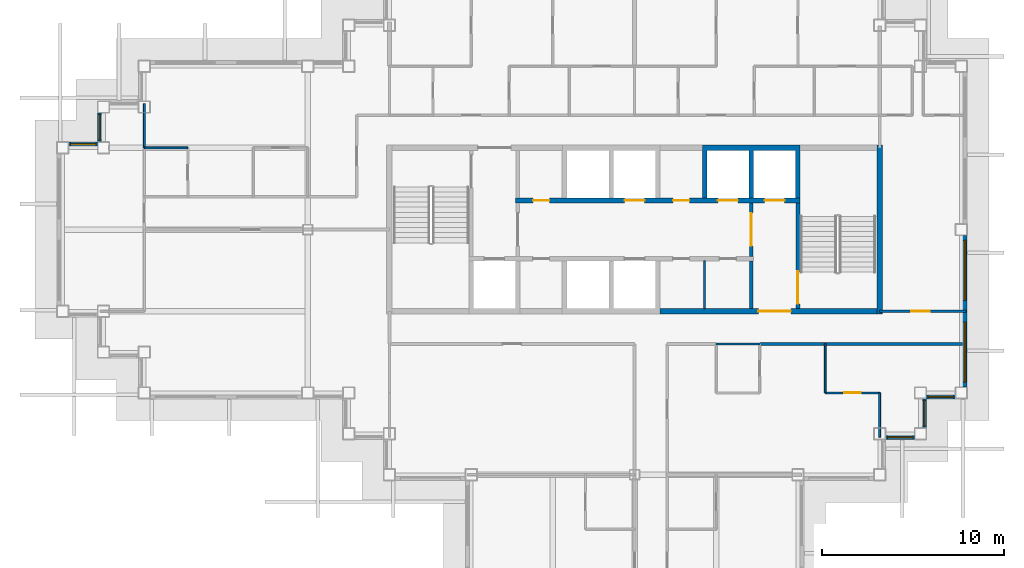
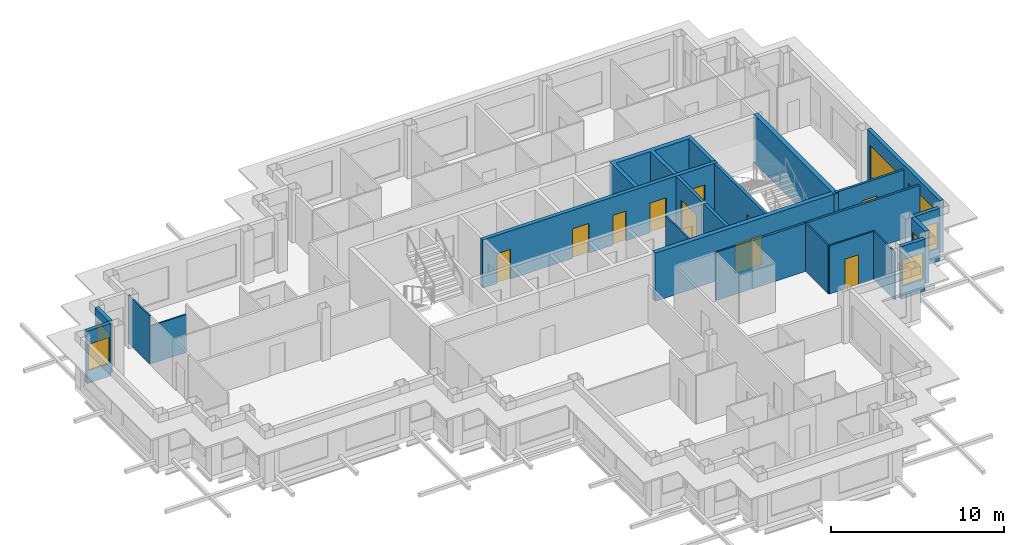
# One storey, part 5 of 12: 22 walls, 10 doors, 7 windows, 17 openings.
"""IFC4 building model written with IfcOpenShell, lengths in metres."""

from ifc_helpers import new_model, si_unit, direction, frame, frame_2d, origin, place, context, subcontext, project, spatial, polyline, rectangle, outline, extrude, material, layer, layer_set, type_object, element, fill, save


model = new_model("IFC4")

# Units and contexts
model_context = context("Model", 3, precision=1e-05, world=origin(), true_north=direction((0.0, 1.0)))
body_context = subcontext(model_context, "Body", "Model", "MODEL_VIEW")
ifc_project = project(units=[si_unit("LENGTHUNIT", "METRE"), si_unit("AREAUNIT", "SQUARE_METRE"), si_unit("VOLUMEUNIT", "CUBIC_METRE"), si_unit("PLANEANGLEUNIT", "RADIAN"), si_unit("MASSUNIT", "GRAM", prefix="KILO")], contexts=[model_context])

# Site, building, storey
site_placement = place(None, origin())
site = spatial("IfcSite", under=ifc_project, at=site_placement, CompositionType="ELEMENT")
building_placement = place(site_placement, origin())
building = spatial("IfcBuilding", under=site, at=building_placement, Name="Caravel Reach Hotel and Residences", CompositionType="ELEMENT")
storey_placement = place(building_placement, frame((0.0, 0.0, 218.300048828125)))
storey = spatial("IfcBuildingStorey", under=building, at=storey_placement, Name="L55", CompositionType="ELEMENT", Elevation=218.300048828125)

# Walls
ifc_material_1 = material(Name="Gypsum board on steel stud", Category="steel")
ifc_layer_1 = layer(ifc_material_1, 0.10009765625)
ifc_layer_set_1 = layer_set([ifc_layer_1], Name="Bathroom pod wall 100 mm")
wall_type_1 = type_object("IfcWallType", Name="Bathroom pod wall 100 mm", PredefinedType="PARTITIONING", material=ifc_layer_set_1)
wall_1_placement = place(storey_placement, frame((36.0, 20.699951171875, 0.0), z_axis=(0.0, 0.0, 1.0), x_axis=(1.0, 0.0, 0.0)))
element("IfcWall", 1, at=wall_1_placement, inside=storey, type_object=wall_type_1, Name="L55 wall w078", PredefinedType="PARTITIONING", context=body_context, shape_type="SweptSolid", body=[
    extrude(rectangle(XDim=2.39990234375, YDim=0.10009765625, at=frame_2d((1.199951171875, 0.0))), origin(), (0.0, 0.0, 1.0), 3.39990234375),
])
wall_2_placement = place(storey_placement, frame((4.5, 31.5, 0.0), z_axis=(0.0, 0.0, 1.0), x_axis=(1.0, 0.0, 0.0)))
element("IfcWall", 2, at=wall_2_placement, inside=storey, type_object=wall_type_1, Name="L55 wall w080", PredefinedType="PARTITIONING", context=body_context, shape_type="SweptSolid", body=[
    extrude(rectangle(XDim=2.39990234375, YDim=0.10009765625, at=frame_2d((1.199951171875, 0.0))), origin(), (0.0, 0.0, 1.0), 2.679931640625),
])
ifc_material_2 = material(Name="Autoclaved aerated block wall")
ifc_layer_2 = layer(ifc_material_2, 0.199951171875)
ifc_layer_set_2 = layer_set([ifc_layer_2], Name="Compartment wall 200 mm EI 120")
wall_type_2 = type_object("IfcWallType", Name="Compartment wall 200 mm EI 120", PredefinedType="PARTITIONING", material=ifc_layer_set_2)
wall_3_placement = place(storey_placement, frame((37.928466796875, 22.64990234375, 0.0), z_axis=(0.0, 0.0, 1.0), x_axis=(0.0, 1.0, 0.0)))
element("IfcWall", 3, at=wall_3_placement, inside=storey, type_object=wall_type_2, Name="L55 store partition", PredefinedType="PARTITIONING", context=body_context, shape_type="SweptSolid", body=[
    extrude(rectangle(XDim=2.625, YDim=0.199951171875, at=frame_2d((1.3125, 0.0))), origin(), (0.0, 0.0, 1.0), 3.39990234375),
])

# Wall, opening, door
ifc_material_3 = material(Name="Concrete C60", Category="concrete")
ifc_layer_3 = layer(ifc_material_3, 0.300048828125)
ifc_layer_set_3 = layer_set([ifc_layer_3], Name="Core wall 300 mm EI 120")
wall_type_3 = type_object("IfcWallType", Name="Core wall 300 mm EI 120", PredefinedType="SHEAR", material=ifc_layer_set_3)
wall_4_placement = place(storey_placement, frame((32.91064453125, 22.5, 0.0), z_axis=(0.0, 0.0, 1.0), x_axis=(1.0, 0.0, 0.0)))
wall_4 = element("IfcWall", 4, at=wall_4_placement, inside=storey, type_object=wall_type_3, Name="L55 core wall S3", PredefinedType="SHEAR", context=body_context, shape_type="SweptSolid", body=[
    extrude(rectangle(XDim=11.939453125, YDim=0.300048828125, at=frame_2d((5.9697265625, 0.0))), origin(), (0.0, 0.0, 1.0), 3.39990234375),
])
opening_1_placement = place(wall_4_placement, frame((5.403564453125, 0.0, 0.0)))
opening_1 = element("IfcOpeningElement", 5, at=opening_1_placement, cuts=wall_4, Name="Opening D55-016", PredefinedType="OPENING", context=body_context, shape_type="SweptSolid", body=[
    extrude(rectangle(XDim=1.800048828125, YDim=2.10009765625, at=frame_2d((0.89990234375, 1.050048828125))), frame((0.0, 0.159912109375, 0.0), z_axis=(0.0, -1.0, 0.0), x_axis=(1.0, 0.0, 0.0)), (0.0, 0.0, 1.0), 0.320068359375),
])
ifc_material_4 = material(Name="Steel fire door leaf", Category="steel")
door_type_1 = type_object("IfcDoorType", Name="Fire lobby door pair 1800 x 2100 EI 90", OperationType="DOUBLE_DOOR_SINGLE_SWING", PredefinedType="DOOR", material=ifc_material_4)
door_1_placement = place(opening_1_placement, origin())
door_1 = element("IfcDoor", 6, at=door_1_placement, inside=storey, type_object=door_type_1, Name="lobby S door pair to corridor", OperationType="DOUBLE_DOOR_SINGLE_SWING", OverallHeight=2.10009765625, OverallWidth=1.800048828125, PredefinedType="DOOR", context=body_context, shape_type="SweptSolid", body=[
    extrude(rectangle(XDim=1.800048828125, YDim=2.10009765625, at=frame_2d((0.89990234375, 1.050048828125))), frame((0.0, 0.02490234375, 0.0), z_axis=(0.0, -1.0, 0.0), x_axis=(1.0, 0.0, 0.0)), (0.0, 0.0, 1.0), 0.050048828125),
])
fill(opening_1, door_1)

# Walls
wall_5_placement = place(storey_placement, frame((45.0, 22.35009765625, 0.0), z_axis=(0.0, 0.0, 1.0), x_axis=(0.0, 1.0, 0.0)))
element("IfcWall", 7, at=wall_5_placement, inside=storey, type_object=wall_type_3, Name="L55 core wall E", PredefinedType="SHEAR", context=body_context, shape_type="SweptSolid", body=[
    extrude(rectangle(XDim=9.2998046875, YDim=0.300048828125, at=frame_2d((4.64990234375, 0.0))), origin(), (0.0, 0.0, 1.0), 3.39990234375),
])
ifc_material_5 = material(Name="Gypsum board on steel stud, fire-rated", Category="steel")
ifc_layer_4 = layer(ifc_material_5, 0.14990234375)
ifc_layer_set_4 = layer_set([ifc_layer_4], Name="Corridor wall 150 mm EI 60")
wall_type_4 = type_object("IfcWallType", Name="Corridor wall 150 mm EI 60", PredefinedType="PARTITIONING", material=ifc_layer_set_4)
wall_6_placement = place(storey_placement, frame((38.39990234375, 20.699951171875, 0.0), z_axis=(0.0, 0.0, 1.0), x_axis=(1.0, 0.0, 0.0)))
element("IfcWall", 8, at=wall_6_placement, inside=storey, type_object=wall_type_4, Name="L55 wall w002", PredefinedType="PARTITIONING", context=body_context, shape_type="SweptSolid", body=[
    extrude(rectangle(XDim=11.175048828125, YDim=0.14990234375, at=frame_2d((5.58740234375, 0.0))), origin(), (0.0, 0.0, 1.0), 3.39990234375),
])

# Wall, opening, door
wall_7_placement = place(storey_placement, frame((45.0, 22.5, 0.0), z_axis=(0.0, 0.0, 1.0), x_axis=(1.0, 0.0, 0.0)))
wall_7 = element("IfcWall", 9, at=wall_7_placement, inside=storey, type_object=wall_type_4, Name="L55 wall w006", PredefinedType="PARTITIONING", context=body_context, shape_type="SweptSolid", body=[
    extrude(rectangle(XDim=4.764892578125, YDim=0.14990234375, at=frame_2d((2.38232421875, 0.0))), origin(), (0.0, 0.0, 1.0), 3.39990234375),
])
opening_2_placement = place(wall_7_placement, frame((1.75, 0.0, 0.0)))
opening_2 = element("IfcOpeningElement", 10, at=opening_2_placement, cuts=wall_7, Name="Opening D55-044", PredefinedType="OPENING", context=body_context, shape_type="SweptSolid", body=[
    extrude(rectangle(XDim=1.0, YDim=2.199951171875, at=frame_2d((0.5, 1.10009765625))), frame((0.0, 0.0849609375, 0.0), z_axis=(0.0, -1.0, 0.0), x_axis=(1.0, 0.0, 0.0)), (0.0, 0.0, 1.0), 0.169921875),
])
ifc_material_6 = material(Name="Steel fire door leaf", Category="steel")
door_type_2 = type_object("IfcDoorType", Name="Flat entrance door 1000 x 2200 EI 60", OperationType="SINGLE_SWING_LEFT", PredefinedType="DOOR", material=ifc_material_6)
door_2_placement = place(opening_2_placement, origin())
door_2 = element("IfcDoor", 11, at=door_2_placement, inside=storey, type_object=door_type_2, Name="door D55-044", OperationType="SINGLE_SWING_LEFT", OverallHeight=2.199951171875, OverallWidth=1.0, PredefinedType="DOOR", context=body_context, shape_type="SweptSolid", body=[
    extrude(rectangle(XDim=1.0, YDim=2.199951171875, at=frame_2d((0.5, 1.10009765625))), frame((0.0, 0.02490234375, 0.0), z_axis=(0.0, -1.0, 0.0), x_axis=(1.0, 0.0, 0.0)), (0.0, 0.0, 1.0), 0.050048828125),
])
fill(opening_2, door_2)

# Wall, opening, window
ifc_material_7 = material(Name="Insulated rainscreen wall, aluminium cladding", Category="aluminium")
ifc_layer_5 = layer(ifc_material_7, 0.25)
ifc_layer_set_5 = layer_set([ifc_layer_5], Name="EW1 Tower rainscreen wall")
wall_type_5 = type_object("IfcWallType", Name="EW1 Tower rainscreen wall", PredefinedType="SOLIDWALL", material=ifc_layer_set_5)
wall_8_placement = place(storey_placement, frame((45.324951171875, 15.550048828125, 0.0), z_axis=(0.0, 0.0, 1.0), x_axis=(1.0, 0.0, 0.0)))
wall_8 = element("IfcWall", 12, at=wall_8_placement, inside=storey, type_object=wall_type_5, Name="External wall L55 S3.1", PredefinedType="SOLIDWALL", context=body_context, shape_type="SweptSolid", body=[
    extrude(rectangle(XDim=1.60009765625, YDim=0.25, at=frame_2d((0.800048828125, 0.0))), origin(), (0.0, 0.0, 1.0), 3.699951171875),
])
opening_3_placement = place(wall_8_placement, frame((0.10009765625, 0.0, 0.89990234375)))
opening_3 = element("IfcOpeningElement", 13, at=opening_3_placement, cuts=wall_8, Name="Opening WN22", PredefinedType="OPENING", context=body_context, shape_type="SweptSolid", body=[
    extrude(rectangle(XDim=1.39990234375, YDim=1.85009765625, at=frame_2d((0.699951171875, 0.925048828125))), frame((0.0, 0.135009765625, 0.0), z_axis=(0.0, -1.0, 0.0), x_axis=(1.0, 0.0, 0.0)), (0.0, 0.0, 1.0), 0.27001953125),
])
ifc_material_8 = material(Name="Dark low-e glazing in black aluminium frame", Category="aluminium")
window_type_1 = type_object("IfcWindowType", Name="Residence bedroom window 1400 x 1850", PartitioningType="SINGLE_PANEL", PredefinedType="WINDOW", material=ifc_material_8)
window_1_placement = place(opening_3_placement, origin())
window_1 = element("IfcWindow", 14, at=window_1_placement, inside=storey, type_object=window_type_1, Name="Window L55 S3.1.1", OverallHeight=1.85009765625, OverallWidth=1.39990234375, PartitioningType="SINGLE_PANEL", PredefinedType="WINDOW", context=body_context, shape_type="SweptSolid", body=[
    extrude(rectangle(XDim=1.39990234375, YDim=1.85009765625, at=frame_2d((0.699951171875, 0.925048828125))), frame((0.0, 0.030029296875, 0.0), z_axis=(0.0, -1.0, 0.0), x_axis=(1.0, 0.0, 0.0)), (0.0, 0.0, 1.0), 0.06005859375),
])
fill(opening_3, window_1)

wall_9_placement = place(storey_placement, frame((47.449951171875, 16.074951171875, 0.0), z_axis=(0.0, 0.0, 1.0), x_axis=(0.0, 1.0, 0.0)))
wall_9 = element("IfcWall", 15, at=wall_9_placement, inside=storey, type_object=wall_type_5, Name="External wall L55 E4.1", PredefinedType="SOLIDWALL", context=body_context, shape_type="SweptSolid", body=[
    extrude(rectangle(XDim=1.60009765625, YDim=0.25, at=frame_2d((0.800048828125, 0.0))), origin(), (0.0, 0.0, 1.0), 3.699951171875),
])
opening_4_placement = place(wall_9_placement, frame((0.10009765625, 0.0, 0.89990234375)))
opening_4 = element("IfcOpeningElement", 16, at=opening_4_placement, cuts=wall_9, Name="Opening WN22", PredefinedType="OPENING", context=body_context, shape_type="SweptSolid", body=[
    extrude(rectangle(XDim=1.39990234375, YDim=1.85009765625, at=frame_2d((0.699951171875, 0.925048828125))), frame((0.0, 0.135009765625, 0.0), z_axis=(0.0, -1.0, 0.0), x_axis=(1.0, 0.0, 0.0)), (0.0, 0.0, 1.0), 0.27001953125),
])
window_2_placement = place(opening_4_placement, origin())
window_2 = element("IfcWindow", 17, at=window_2_placement, inside=storey, type_object=window_type_1, Name="Window L55 E4.1.1", OverallHeight=1.85009765625, OverallWidth=1.39990234375, PartitioningType="SINGLE_PANEL", PredefinedType="WINDOW", context=body_context, shape_type="SweptSolid", body=[
    extrude(rectangle(XDim=1.39990234375, YDim=1.85009765625, at=frame_2d((0.699951171875, 0.925048828125))), frame((0.0, 0.030029296875, 0.0), z_axis=(0.0, -1.0, 0.0), x_axis=(1.0, 0.0, 0.0)), (0.0, 0.0, 1.0), 0.06005859375),
])
fill(opening_4, window_2)

wall_10_placement = place(storey_placement, frame((47.574951171875, 17.800048828125, 0.0), z_axis=(0.0, 0.0, 1.0), x_axis=(1.0, 0.0, 0.0)))
wall_10 = element("IfcWall", 18, at=wall_10_placement, inside=storey, type_object=wall_type_5, Name="External wall L55 S5.1", PredefinedType="SOLIDWALL", context=body_context, shape_type="SweptSolid", body=[
    extrude(rectangle(XDim=1.60009765625, YDim=0.25, at=frame_2d((0.800048828125, 0.0))), origin(), (0.0, 0.0, 1.0), 3.699951171875),
])
opening_5_placement = place(wall_10_placement, frame((0.10009765625, 0.0, 0.89990234375)))
opening_5 = element("IfcOpeningElement", 19, at=opening_5_placement, cuts=wall_10, Name="Opening WN22", PredefinedType="OPENING", context=body_context, shape_type="SweptSolid", body=[
    extrude(rectangle(XDim=1.39990234375, YDim=1.85009765625, at=frame_2d((0.699951171875, 0.925048828125))), frame((0.0, 0.135009765625, 0.0), z_axis=(0.0, -1.0, 0.0), x_axis=(1.0, 0.0, 0.0)), (0.0, 0.0, 1.0), 0.27001953125),
])
window_3_placement = place(opening_5_placement, origin())
window_3 = element("IfcWindow", 20, at=window_3_placement, inside=storey, type_object=window_type_1, Name="Window L55 S5.1.1", OverallHeight=1.85009765625, OverallWidth=1.39990234375, PartitioningType="SINGLE_PANEL", PredefinedType="WINDOW", context=body_context, shape_type="SweptSolid", body=[
    extrude(rectangle(XDim=1.39990234375, YDim=1.85009765625, at=frame_2d((0.699951171875, 0.925048828125))), frame((0.0, 0.030029296875, 0.0), z_axis=(0.0, -1.0, 0.0), x_axis=(1.0, 0.0, 0.0)), (0.0, 0.0, 1.0), 0.06005859375),
])
fill(opening_5, window_3)

# Wall, openings, windows
wall_11_placement = place(storey_placement, frame((49.699951171875, 18.324951171875, 0.0), z_axis=(0.0, 0.0, 1.0), x_axis=(0.0, 1.0, 0.0)))
wall_11 = element("IfcWall", 21, at=wall_11_placement, inside=storey, type_object=wall_type_5, Name="External wall L55 E6.1", PredefinedType="SOLIDWALL", context=body_context, shape_type="SweptSolid", body=[
    extrude(rectangle(XDim=8.35009765625, YDim=0.25, at=frame_2d((4.175048828125, 0.0))), origin(), (0.0, 0.0, 1.0), 3.699951171875),
])
opening_6_placement = place(wall_11_placement, frame((0.27490234375, 0.0, 0.449951171875)))
opening_6 = element("IfcOpeningElement", 22, at=opening_6_placement, cuts=wall_11, Name="Opening WN15", PredefinedType="OPENING", context=body_context, shape_type="SweptSolid", body=[
    extrude(rectangle(XDim=3.300048828125, YDim=2.300048828125, at=frame_2d((1.64990234375, 1.14990234375))), frame((0.0, 0.135009765625, 0.0), z_axis=(0.0, -1.0, 0.0), x_axis=(1.0, 0.0, 0.0)), (0.0, 0.0, 1.0), 0.27001953125),
])
opening_7_placement = place(wall_11_placement, frame((4.77490234375, 0.0, 0.449951171875)))
opening_7 = element("IfcOpeningElement", 23, at=opening_7_placement, cuts=wall_11, Name="Opening WN15", PredefinedType="OPENING", context=body_context, shape_type="SweptSolid", body=[
    extrude(rectangle(XDim=3.300048828125, YDim=2.300048828125, at=frame_2d((1.64990234375, 1.14990234375))), frame((0.0, 0.135009765625, 0.0), z_axis=(0.0, -1.0, 0.0), x_axis=(1.0, 0.0, 0.0)), (0.0, 0.0, 1.0), 0.27001953125),
])
ifc_material_9 = material(Name="Dark low-e glazing in black aluminium frame", Category="aluminium")
window_type_2 = type_object("IfcWindowType", Name="Residence living window 3300 x 2300", PartitioningType="SINGLE_PANEL", PredefinedType="WINDOW", material=ifc_material_9)
window_4_placement = place(opening_6_placement, origin())
window_4 = element("IfcWindow", 24, at=window_4_placement, inside=storey, type_object=window_type_2, Name="Window L55 E6.1.1", OverallHeight=2.300048828125, OverallWidth=3.300048828125, PartitioningType="SINGLE_PANEL", PredefinedType="WINDOW", context=body_context, shape_type="SweptSolid", body=[
    extrude(rectangle(XDim=3.300048828125, YDim=2.300048828125, at=frame_2d((1.64990234375, 1.14990234375))), frame((0.0, 0.030029296875, 0.0), z_axis=(0.0, -1.0, 0.0), x_axis=(1.0, 0.0, 0.0)), (0.0, 0.0, 1.0), 0.06005859375),
])
fill(opening_6, window_4)
window_5_placement = place(opening_7_placement, origin())
window_5 = element("IfcWindow", 25, at=window_5_placement, inside=storey, type_object=window_type_2, Name="Window L55 E6.1.2", OverallHeight=2.300048828125, OverallWidth=3.300048828125, PartitioningType="SINGLE_PANEL", PredefinedType="WINDOW", context=body_context, shape_type="SweptSolid", body=[
    extrude(rectangle(XDim=3.300048828125, YDim=2.300048828125, at=frame_2d((1.64990234375, 1.14990234375))), frame((0.0, 0.030029296875, 0.0), z_axis=(0.0, -1.0, 0.0), x_axis=(1.0, 0.0, 0.0)), (0.0, 0.0, 1.0), 0.06005859375),
])
fill(opening_7, window_5)

# Wall, opening, window
wall_12_placement = place(storey_placement, frame((2.050048828125, 33.425048828125, 0.0), z_axis=(0.0, 0.0, 1.0), x_axis=(0.0, -1.0, 0.0)))
wall_12 = element("IfcWall", 26, at=wall_12_placement, inside=storey, type_object=wall_type_5, Name="External wall L55 W18.1", PredefinedType="SOLIDWALL", context=body_context, shape_type="SweptSolid", body=[
    extrude(rectangle(XDim=1.60009765625, YDim=0.25, at=frame_2d((0.800048828125, 0.0))), origin(), (0.0, 0.0, 1.0), 3.699951171875),
])
opening_8_placement = place(wall_12_placement, frame((0.10009765625, 0.0, 0.89990234375)))
opening_8 = element("IfcOpeningElement", 27, at=opening_8_placement, cuts=wall_12, Name="Opening WN22", PredefinedType="OPENING", context=body_context, shape_type="SweptSolid", body=[
    extrude(rectangle(XDim=1.39990234375, YDim=1.85009765625, at=frame_2d((0.699951171875, 0.925048828125))), frame((0.0, 0.135009765625, 0.0), z_axis=(0.0, -1.0, 0.0), x_axis=(1.0, 0.0, 0.0)), (0.0, 0.0, 1.0), 0.27001953125),
])
window_6_placement = place(opening_8_placement, origin())
window_6 = element("IfcWindow", 28, at=window_6_placement, inside=storey, type_object=window_type_1, Name="Window L55 W18.1.1", OverallHeight=1.85009765625, OverallWidth=1.39990234375, PartitioningType="SINGLE_PANEL", PredefinedType="WINDOW", context=body_context, shape_type="SweptSolid", body=[
    extrude(rectangle(XDim=1.39990234375, YDim=1.85009765625, at=frame_2d((0.699951171875, 0.925048828125))), frame((0.0, 0.030029296875, 0.0), z_axis=(0.0, -1.0, 0.0), x_axis=(1.0, 0.0, 0.0)), (0.0, 0.0, 1.0), 0.06005859375),
])
fill(opening_8, window_6)

wall_13_placement = place(storey_placement, frame((1.925048828125, 31.699951171875, 0.0), z_axis=(0.0, 0.0, 1.0), x_axis=(-1.0, 0.0, 0.0)))
wall_13 = element("IfcWall", 29, at=wall_13_placement, inside=storey, type_object=wall_type_5, Name="External wall L55 N19.1", PredefinedType="SOLIDWALL", context=body_context, shape_type="SweptSolid", body=[
    extrude(rectangle(XDim=1.60009765625, YDim=0.25, at=frame_2d((0.800048828125, 0.0))), origin(), (0.0, 0.0, 1.0), 3.699951171875),
])
opening_9_placement = place(wall_13_placement, frame((0.10009765625, 0.0, 0.89990234375)))
opening_9 = element("IfcOpeningElement", 30, at=opening_9_placement, cuts=wall_13, Name="Opening WN22", PredefinedType="OPENING", context=body_context, shape_type="SweptSolid", body=[
    extrude(rectangle(XDim=1.39990234375, YDim=1.85009765625, at=frame_2d((0.699951171875, 0.925048828125))), frame((0.0, 0.135009765625, 0.0), z_axis=(0.0, -1.0, 0.0), x_axis=(1.0, 0.0, 0.0)), (0.0, 0.0, 1.0), 0.27001953125),
])
window_7_placement = place(opening_9_placement, origin())
window_7 = element("IfcWindow", 31, at=window_7_placement, inside=storey, type_object=window_type_1, Name="Window L55 N19.1.1", OverallHeight=1.85009765625, OverallWidth=1.39990234375, PartitioningType="SINGLE_PANEL", PredefinedType="WINDOW", context=body_context, shape_type="SweptSolid", body=[
    extrude(rectangle(XDim=1.39990234375, YDim=1.85009765625, at=frame_2d((0.699951171875, 0.925048828125))), frame((0.0, 0.030029296875, 0.0), z_axis=(0.0, -1.0, 0.0), x_axis=(1.0, 0.0, 0.0)), (0.0, 0.0, 1.0), 0.06005859375),
])
fill(opening_9, window_7)

# Wall, opening, door
ifc_material_10 = material(Name="Autoclaved aerated block wall")
ifc_layer_6 = layer(ifc_material_10, 0.199951171875)
ifc_layer_set_6 = layer_set([ifc_layer_6], Name="Fire lobby wall 200 mm EI 120")
wall_type_6 = type_object("IfcWallType", Name="Fire lobby wall 200 mm EI 120", PredefinedType="PARTITIONING", material=ifc_layer_set_6)
wall_14_placement = place(storey_placement, frame((37.928466796875, 25.52490234375, 0.0), z_axis=(0.0, 0.0, 1.0), x_axis=(0.0, 1.0, 0.0)))
wall_14 = element("IfcWall", 32, at=wall_14_placement, inside=storey, type_object=wall_type_6, Name="L55 lobby E wall", PredefinedType="PARTITIONING", context=body_context, shape_type="SweptSolid", body=[
    extrude(rectangle(XDim=2.9501953125, YDim=0.199951171875, at=frame_2d((1.47509765625, 0.0))), origin(), (0.0, 0.0, 1.0), 3.39990234375),
])
opening_10_placement = place(wall_14_placement, frame((0.574951171875, 0.0, 0.0)))
opening_10 = element("IfcOpeningElement", 33, at=opening_10_placement, cuts=wall_14, Name="Opening D55-014", PredefinedType="OPENING", context=body_context, shape_type="SweptSolid", body=[
    extrude(rectangle(XDim=1.800048828125, YDim=2.10009765625, at=frame_2d((0.89990234375, 1.050048828125))), frame((0.0, 0.10986328125, 0.0), z_axis=(0.0, -1.0, 0.0), x_axis=(1.0, 0.0, 0.0)), (0.0, 0.0, 1.0), 0.219970703125),
])
door_3_placement = place(opening_10_placement, origin())
door_3 = element("IfcDoor", 34, at=door_3_placement, inside=storey, type_object=door_type_1, Name="lobby E door pair", OperationType="DOUBLE_DOOR_SINGLE_SWING", OverallHeight=2.10009765625, OverallWidth=1.800048828125, PredefinedType="DOOR", context=body_context, shape_type="SweptSolid", body=[
    extrude(rectangle(XDim=1.800048828125, YDim=2.10009765625, at=frame_2d((0.89990234375, 1.050048828125))), frame((0.0, 0.02490234375, 0.0), z_axis=(0.0, -1.0, 0.0), x_axis=(1.0, 0.0, 0.0)), (0.0, 0.0, 1.0), 0.050048828125),
])
fill(opening_10, door_3)

# Wall
ifc_material_11 = material(Name="Gypsum board on steel stud", Category="steel")
ifc_layer_7 = layer(ifc_material_11, 0.10009765625)
ifc_layer_set_7 = layer_set([ifc_layer_7], Name="Partition 100 mm")
wall_type_7 = type_object("IfcWallType", Name="Partition 100 mm", PredefinedType="PARTITIONING", material=ifc_layer_set_7)
wall_15_placement = place(storey_placement, frame((35.357177734375, 22.64990234375, 0.0), z_axis=(0.0, 0.0, 1.0), x_axis=(0.0, 1.0, 0.0)))
element("IfcWall", 35, at=wall_15_placement, inside=storey, type_object=wall_type_7, Name="L55 store partition", PredefinedType="PARTITIONING", context=body_context, shape_type="SweptSolid", body=[
    extrude(rectangle(XDim=2.625, YDim=0.10009765625, at=frame_2d((1.3125, 0.0))), origin(), (0.0, 0.0, 1.0), 3.39990234375),
])

# Wall, opening, door
wall_16_placement = place(storey_placement, frame((42.0, 18.0, 0.0), z_axis=(0.0, 0.0, 1.0), x_axis=(1.0, 0.0, 0.0)))
wall_16 = element("IfcWall", 36, at=wall_16_placement, inside=storey, type_object=wall_type_7, Name="L55 wall w033", PredefinedType="PARTITIONING", context=body_context, shape_type="SweptSolid", body=[
    extrude(rectangle(XDim=3.0, YDim=0.10009765625, at=frame_2d((1.5, 0.0))), origin(), (0.0, 0.0, 1.0), 3.39990234375),
])
opening_11_placement = place(wall_16_placement, frame((1.050048828125, 0.0, 0.0)))
opening_11 = element("IfcOpeningElement", 37, at=opening_11_placement, cuts=wall_16, Name="Opening D55-036", PredefinedType="OPENING", context=body_context, shape_type="SweptSolid", body=[
    extrude(rectangle(XDim=0.89990234375, YDim=2.10009765625, at=frame_2d((0.449951171875, 1.050048828125))), frame((0.0, 0.06005859375, 0.0), z_axis=(0.0, -1.0, 0.0), x_axis=(1.0, 0.0, 0.0)), (0.0, 0.0, 1.0), 0.1201171875),
])
ifc_material_12 = material(Name="Timber and steel door leaf", Category="steel")
door_type_3 = type_object("IfcDoorType", Name="Door 900 x 2100 timber", OperationType="SINGLE_SWING_LEFT", PredefinedType="DOOR", material=ifc_material_12)
door_4_placement = place(opening_11_placement, origin())
door_4 = element("IfcDoor", 38, at=door_4_placement, inside=storey, type_object=door_type_3, Name="door D55-036", OperationType="SINGLE_SWING_RIGHT", OverallHeight=2.10009765625, OverallWidth=0.89990234375, PredefinedType="DOOR", context=body_context, shape_type="SweptSolid", body=[
    extrude(rectangle(XDim=0.89990234375, YDim=2.10009765625, at=frame_2d((0.449951171875, 1.050048828125))), frame((0.0, 0.02490234375, 0.0), z_axis=(0.0, -1.0, 0.0), x_axis=(1.0, 0.0, 0.0)), (0.0, 0.0, 1.0), 0.050048828125),
])
fill(opening_11, door_4)

# Walls
wall_17_placement = place(storey_placement, frame((4.5, 31.5009765625, 0.0), z_axis=(0.0, 0.0, 1.0), x_axis=(0.0, 1.0, 0.0)))
element("IfcWall", 39, at=wall_17_placement, inside=storey, type_object=wall_type_7, Name="L55 wall w061", PredefinedType="PARTITIONING", context=body_context, shape_type="SweptSolid", body=[
    extrude(rectangle(XDim=2.43896484375, YDim=0.10009765625, at=frame_2d((1.219482421875, 0.0))), origin(), (0.0, 0.0, 1.0), 3.39990234375),
])
wall_18_placement = place(storey_placement, frame((42.0, 18.0, 0.0), z_axis=(0.0, 0.0, 1.0), x_axis=(0.0, 1.0, 0.0)))
element("IfcWall", 40, at=wall_18_placement, inside=storey, type_object=wall_type_7, Name="L55 wall w065", PredefinedType="PARTITIONING", context=body_context, shape_type="SweptSolid", body=[
    extrude(rectangle(XDim=2.699951171875, YDim=0.10009765625, at=frame_2d((1.35009765625, 0.0))), origin(), (0.0, 0.0, 1.0), 3.39990234375),
])
wall_19_placement = place(storey_placement, frame((45.0, 15.56005859375, 0.0), z_axis=(0.0, 0.0, 1.0), x_axis=(0.0, 1.0, 0.0)))
element("IfcWall", 41, at=wall_19_placement, inside=storey, type_object=wall_type_7, Name="L55 wall w066", PredefinedType="PARTITIONING", context=body_context, shape_type="SweptSolid", body=[
    extrude(rectangle(XDim=2.43994140625, YDim=0.10009765625, at=frame_2d((1.219970703125, 0.0))), origin(), (0.0, 0.0, 1.0), 3.39990234375),
])
ifc_material_13 = material(Name="Concrete C60", Category="concrete")
ifc_layer_8 = layer(ifc_material_13, 0.25)
ifc_layer_set_8 = layer_set([ifc_layer_8], Name="Shaft wall 250 mm EI 120")
wall_type_8 = type_object("IfcWallType", Name="Shaft wall 250 mm EI 120", PredefinedType="SHEAR", material=ifc_layer_set_8)
wall_20_placement = place(storey_placement, origin())
element("IfcWall", 42, at=wall_20_placement, inside=storey, type_object=wall_type_8, Name="L55 lift shaft wall N2", PredefinedType="SHEAR", context=body_context, shape_type="SweptSolid", body=[
    extrude(outline(polyline([(35.232177734375, 28.72509765625), (35.482177734375, 28.72509765625), (35.482177734375, 31.35009765625), (37.803466796875, 31.35009765625), (37.803466796875, 28.72509765625), (38.053466796875, 28.72509765625), (38.053466796875, 31.35009765625), (40.375, 31.35009765625), (40.375, 28.72509765625), (40.625, 28.72509765625), (40.625, 31.64990234375), (35.232177734375, 31.64990234375), (35.232177734375, 28.72509765625)])), origin(), (0.0, 0.0, 1.0), 3.39990234375),
])

# Wall, openings, doors
wall_21_placement = place(storey_placement, frame((24.946533203125, 28.60009765625, 0.0), z_axis=(0.0, 0.0, 1.0), x_axis=(1.0, 0.0, 0.0)))
wall_21 = element("IfcWall", 43, at=wall_21_placement, inside=storey, type_object=wall_type_8, Name="L55 lobby wall N1", PredefinedType="SHEAR", context=body_context, shape_type="SweptSolid", body=[
    extrude(rectangle(XDim=15.678466796875, YDim=0.25, at=frame_2d((7.83935546875, 0.0))), origin(), (0.0, 0.0, 1.0), 3.39990234375),
])
opening_12_placement = place(wall_21_placement, frame((6.003662109375, 0.0, 0.0)))
opening_12 = element("IfcOpeningElement", 44, at=opening_12_placement, cuts=wall_21, Name="Opening D55-002", PredefinedType="OPENING", context=body_context, shape_type="SweptSolid", body=[
    extrude(rectangle(XDim=1.10009765625, YDim=2.10009765625, at=frame_2d((0.550048828125, 1.050048828125))), frame((0.0, 0.135009765625, 0.0), z_axis=(0.0, -1.0, 0.0), x_axis=(1.0, 0.0, 0.0)), (0.0, 0.0, 1.0), 0.27001953125),
])
opening_13_placement = place(wall_21_placement, frame((11.146484375, 0.0, 0.0)))
opening_13 = element("IfcOpeningElement", 45, at=opening_13_placement, cuts=wall_21, Name="Opening D55-003", PredefinedType="OPENING", context=body_context, shape_type="SweptSolid", body=[
    extrude(rectangle(XDim=1.10009765625, YDim=2.10009765625, at=frame_2d((0.550048828125, 1.050048828125))), frame((0.0, 0.135009765625, 0.0), z_axis=(0.0, -1.0, 0.0), x_axis=(1.0, 0.0, 0.0)), (0.0, 0.0, 1.0), 0.27001953125),
])
opening_14_placement = place(wall_21_placement, frame((13.718017578125, 0.0, 0.0)))
opening_14 = element("IfcOpeningElement", 46, at=opening_14_placement, cuts=wall_21, Name="Opening D55-005", PredefinedType="OPENING", context=body_context, shape_type="SweptSolid", body=[
    extrude(rectangle(XDim=1.10009765625, YDim=2.10009765625, at=frame_2d((0.550048828125, 1.050048828125))), frame((0.0, 0.135009765625, 0.0), z_axis=(0.0, -1.0, 0.0), x_axis=(1.0, 0.0, 0.0)), (0.0, 0.0, 1.0), 0.27001953125),
])
opening_15_placement = place(wall_21_placement, frame((0.960693359375, 0.0, 0.0)))
opening_15 = element("IfcOpeningElement", 47, at=opening_15_placement, cuts=wall_21, Name="Opening D55-009", PredefinedType="OPENING", context=body_context, shape_type="SweptSolid", body=[
    extrude(rectangle(XDim=0.89990234375, YDim=2.10009765625, at=frame_2d((0.449951171875, 1.050048828125))), frame((0.0, 0.135009765625, 0.0), z_axis=(0.0, -1.0, 0.0), x_axis=(1.0, 0.0, 0.0)), (0.0, 0.0, 1.0), 0.27001953125),
])
opening_16_placement = place(wall_21_placement, frame((8.675048828125, 0.0, 0.0)))
opening_16 = element("IfcOpeningElement", 48, at=opening_16_placement, cuts=wall_21, Name="Opening D55-010", PredefinedType="OPENING", context=body_context, shape_type="SweptSolid", body=[
    extrude(rectangle(XDim=0.89990234375, YDim=2.10009765625, at=frame_2d((0.449951171875, 1.050048828125))), frame((0.0, 0.135009765625, 0.0), z_axis=(0.0, -1.0, 0.0), x_axis=(1.0, 0.0, 0.0)), (0.0, 0.0, 1.0), 0.27001953125),
])
ifc_material_14 = material(Name="Stainless steel landing door", Category="steel")
door_type_4 = type_object("IfcDoorType", Name="Landing door LD 1100 x 2100 sliding", OperationType="DOUBLE_DOOR_SLIDING", PredefinedType="DOOR", material=ifc_material_14)
door_5_placement = place(opening_12_placement, origin())
door_5 = element("IfcDoor", 49, at=door_5_placement, inside=storey, type_object=door_type_4, Name="MP2 landing door", OperationType="DOUBLE_DOOR_SLIDING", OverallHeight=2.10009765625, OverallWidth=1.10009765625, PredefinedType="DOOR", context=body_context, shape_type="SweptSolid", body=[
    extrude(rectangle(XDim=1.10009765625, YDim=2.10009765625, at=frame_2d((0.550048828125, 1.050048828125))), frame((0.0, 0.02490234375, 0.0), z_axis=(0.0, -1.0, 0.0), x_axis=(1.0, 0.0, 0.0)), (0.0, 0.0, 1.0), 0.050048828125),
])
fill(opening_12, door_5)
door_6_placement = place(opening_13_placement, origin())
door_6 = element("IfcDoor", 50, at=door_6_placement, inside=storey, type_object=door_type_4, Name="MP3 landing door", OperationType="DOUBLE_DOOR_SLIDING", OverallHeight=2.10009765625, OverallWidth=1.10009765625, PredefinedType="DOOR", context=body_context, shape_type="SweptSolid", body=[
    extrude(rectangle(XDim=1.10009765625, YDim=2.10009765625, at=frame_2d((0.550048828125, 1.050048828125))), frame((0.0, 0.02490234375, 0.0), z_axis=(0.0, -1.0, 0.0), x_axis=(1.0, 0.0, 0.0)), (0.0, 0.0, 1.0), 0.050048828125),
])
fill(opening_13, door_6)
door_7_placement = place(opening_14_placement, origin())
door_7 = element("IfcDoor", 51, at=door_7_placement, inside=storey, type_object=door_type_4, Name="FL2 landing door", OperationType="DOUBLE_DOOR_SLIDING", OverallHeight=2.10009765625, OverallWidth=1.10009765625, PredefinedType="DOOR", context=body_context, shape_type="SweptSolid", body=[
    extrude(rectangle(XDim=1.10009765625, YDim=2.10009765625, at=frame_2d((0.550048828125, 1.050048828125))), frame((0.0, 0.02490234375, 0.0), z_axis=(0.0, -1.0, 0.0), x_axis=(1.0, 0.0, 0.0)), (0.0, 0.0, 1.0), 0.050048828125),
])
fill(opening_14, door_7)
ifc_material_15 = material(Name="Steel fire door leaf", Category="steel")
door_type_5 = type_object("IfcDoorType", Name="Riser door 900 x 2100 EI 60", OperationType="SINGLE_SWING_LEFT", PredefinedType="DOOR", material=ifc_material_15)
door_8_placement = place(opening_15_placement, origin())
door_8 = element("IfcDoor", 52, at=door_8_placement, inside=storey, type_object=door_type_5, Name="Housekeeping store door", OperationType="SINGLE_SWING_LEFT", OverallHeight=2.10009765625, OverallWidth=0.89990234375, PredefinedType="DOOR", context=body_context, shape_type="SweptSolid", body=[
    extrude(rectangle(XDim=0.89990234375, YDim=2.10009765625, at=frame_2d((0.449951171875, 1.050048828125))), frame((0.0, 0.02490234375, 0.0), z_axis=(0.0, -1.0, 0.0), x_axis=(1.0, 0.0, 0.0)), (0.0, 0.0, 1.0), 0.050048828125),
])
fill(opening_15, door_8)
door_9_placement = place(opening_16_placement, origin())
door_9 = element("IfcDoor", 53, at=door_9_placement, inside=storey, type_object=door_type_5, Name="Mail store door", OperationType="SINGLE_SWING_LEFT", OverallHeight=2.10009765625, OverallWidth=0.89990234375, PredefinedType="DOOR", context=body_context, shape_type="SweptSolid", body=[
    extrude(rectangle(XDim=0.89990234375, YDim=2.10009765625, at=frame_2d((0.449951171875, 1.050048828125))), frame((0.0, 0.02490234375, 0.0), z_axis=(0.0, -1.0, 0.0), x_axis=(1.0, 0.0, 0.0)), (0.0, 0.0, 1.0), 0.050048828125),
])
fill(opening_16, door_9)

# Wall, opening, door
ifc_material_16 = material(Name="Concrete C60", Category="concrete")
ifc_layer_9 = layer(ifc_material_16, 0.199951171875)
ifc_layer_set_9 = layer_set([ifc_layer_9], Name="Stair enclosure wall 200 mm EI 120")
wall_type_9 = type_object("IfcWallType", Name="Stair enclosure wall 200 mm EI 120", PredefinedType="SHEAR", material=ifc_layer_set_9)
wall_22_placement = place(storey_placement, frame((40.5, 22.64990234375, 0.0), z_axis=(0.0, 0.0, 1.0), x_axis=(0.0, 1.0, 0.0)))
wall_22 = element("IfcWall", 54, at=wall_22_placement, inside=storey, type_object=wall_type_9, Name="L55 stair B wall", PredefinedType="SHEAR", context=body_context, shape_type="SweptSolid", body=[
    extrude(rectangle(XDim=5.8251953125, YDim=0.199951171875, at=frame_2d((2.91259765625, 0.0))), origin(), (0.0, 0.0, 1.0), 3.39990234375),
])
opening_17_placement = place(wall_22_placement, frame((0.25, 0.0, 0.0)))
opening_17 = element("IfcOpeningElement", 55, at=opening_17_placement, cuts=wall_22, Name="Opening D55-012", PredefinedType="OPENING", context=body_context, shape_type="SweptSolid", body=[
    extrude(rectangle(XDim=1.800048828125, YDim=2.10009765625, at=frame_2d((0.89990234375, 1.050048828125))), frame((0.0, 0.10986328125, 0.0), z_axis=(0.0, -1.0, 0.0), x_axis=(1.0, 0.0, 0.0)), (0.0, 0.0, 1.0), 0.219970703125),
])
ifc_material_17 = material(Name="Steel fire door leaf", Category="steel")
door_type_6 = type_object("IfcDoorType", Name="Stair door pair 1800 x 2100 EI 90", OperationType="DOUBLE_DOOR_SINGLE_SWING", PredefinedType="DOOR", material=ifc_material_17)
door_10_placement = place(opening_17_placement, origin())
door_10 = element("IfcDoor", 56, at=door_10_placement, inside=storey, type_object=door_type_6, Name="stair B door pair", OperationType="DOUBLE_DOOR_SINGLE_SWING", OverallHeight=2.10009765625, OverallWidth=1.800048828125, PredefinedType="DOOR", context=body_context, shape_type="SweptSolid", body=[
    extrude(rectangle(XDim=1.800048828125, YDim=2.10009765625, at=frame_2d((0.89990234375, 1.050048828125))), frame((0.0, 0.02490234375, 0.0), z_axis=(0.0, -1.0, 0.0), x_axis=(1.0, 0.0, 0.0)), (0.0, 0.0, 1.0), 0.050048828125),
])
fill(opening_17, door_10)

save(model, "model.ifc")
